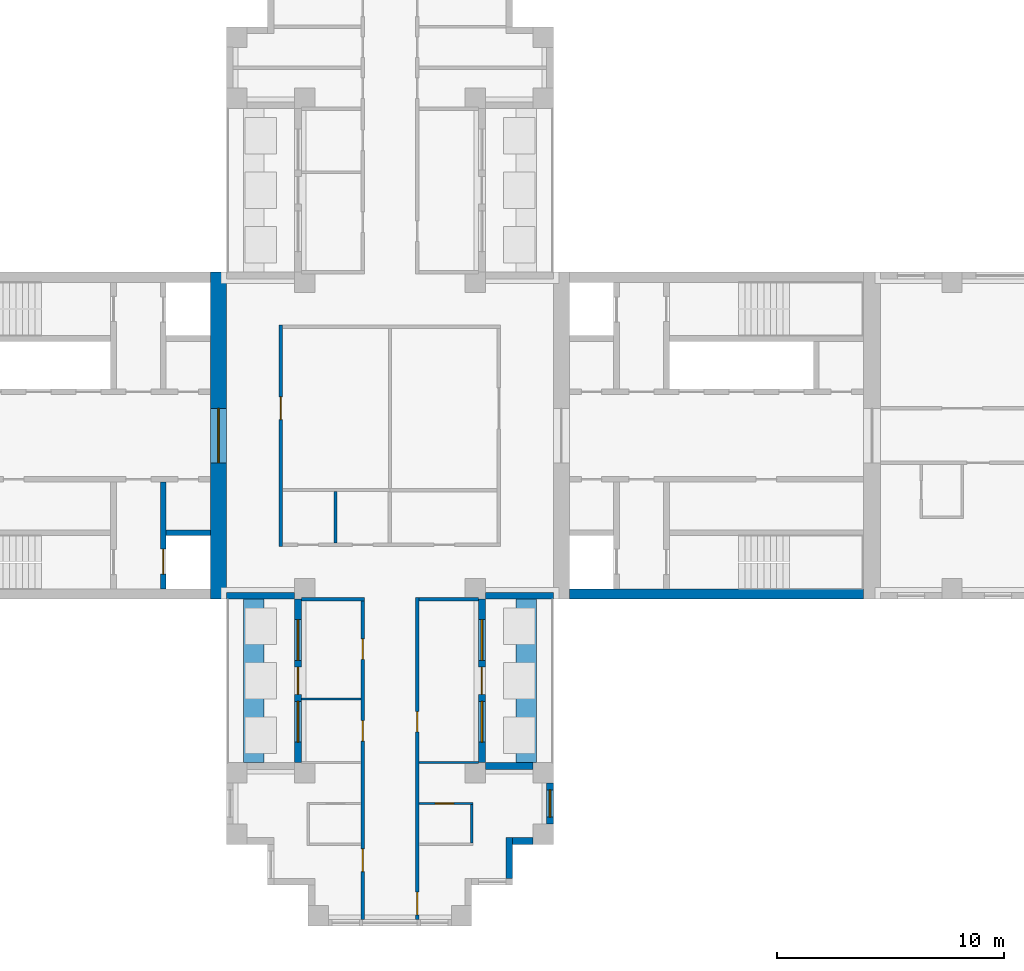
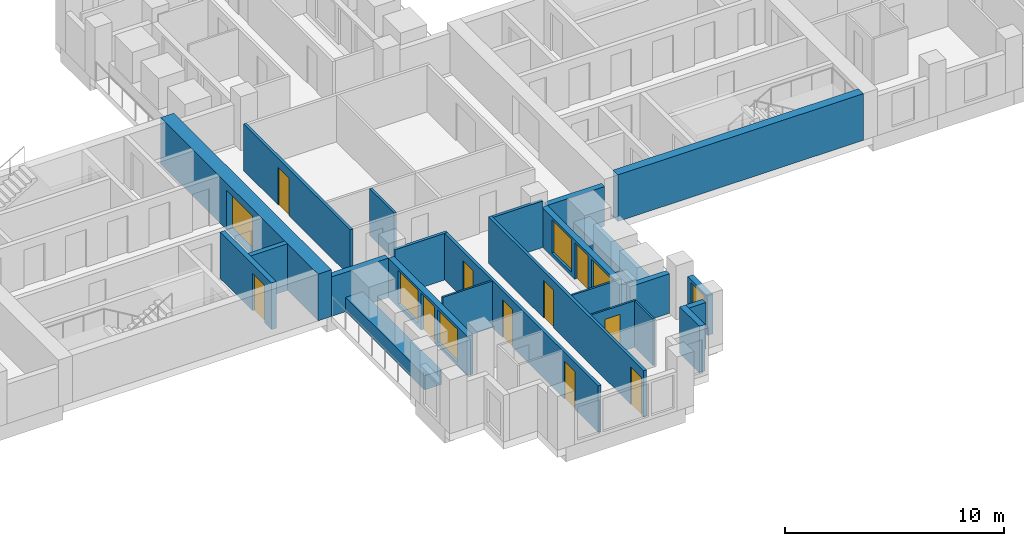
# One storey, part 5 of 12: 24 walls, 11 doors, 5 windows, 16 openings.
"""IFC4 building model written with IfcOpenShell, lengths in metres."""

from ifc_helpers import new_model, si_unit, direction, frame, frame_2d, origin, place, context, subcontext, project, spatial, rectangle, extrude, material, layer, layer_set, type_object, element, fill, save


model = new_model("IFC4")

# Units and contexts
model_context = context("Model", 3, precision=1e-05, world=origin(), true_north=direction((0.0, 1.0)))
body_context = subcontext(model_context, "Body", "Model", "MODEL_VIEW")
ifc_project = project(units=[si_unit("LENGTHUNIT", "METRE"), si_unit("AREAUNIT", "SQUARE_METRE"), si_unit("VOLUMEUNIT", "CUBIC_METRE"), si_unit("PLANEANGLEUNIT", "RADIAN"), si_unit("MASSUNIT", "GRAM", prefix="KILO")], contexts=[model_context])

# Site, building, storey
site_placement = place(None, origin())
site = spatial("IfcSite", under=ifc_project, at=site_placement, CompositionType="ELEMENT")
building_placement = place(site_placement, origin())
building = spatial("IfcBuilding", under=site, at=building_placement, Name="Fustian Cross Tower", CompositionType="ELEMENT")
storey_placement = place(building_placement, frame((0.0, 0.0, 156.300048828125)))
storey = spatial("IfcBuildingStorey", under=building, at=storey_placement, Name="L49", CompositionType="ELEMENT", Elevation=156.300048828125)

# Wall, opening, door
ifc_material_1 = material(Name="Plasterboard on steel stud", Category="steel")
ifc_layer_1 = layer(ifc_material_1, 0.14990234375)
ifc_layer_set_1 = layer_set([ifc_layer_1], Name="Plasterboard on steel stud")
wall_type_1 = type_object("IfcWallType", Name="COMPARTMENT WALL 150 EI 60", PredefinedType="PARTITIONING", material=ifc_layer_set_1)
wall_1_placement = place(storey_placement, frame((-4.800048828125, -4.875, 0.0), z_axis=(0.0, 0.0, 1.0), x_axis=(0.0, 1.0, 0.0)))
wall_1 = element("IfcWall", 1, at=wall_1_placement, inside=storey, type_object=wall_type_1, Name="Partition 12", PredefinedType="PARTITIONING", context=body_context, shape_type="SweptSolid", body=[
    extrude(rectangle(XDim=9.75, YDim=0.14990234375, at=frame_2d((4.875, 0.0))), origin(), (0.0, 0.0, 1.0), 2.599853515625),
])
opening_1_placement = place(wall_1_placement, frame((5.574951171875, 0.0, 0.0)))
opening_1 = element("IfcOpeningElement", 2, at=opening_1_placement, cuts=wall_1, Name="Opening D22004", PredefinedType="OPENING", context=body_context, shape_type="SweptSolid", body=[
    extrude(rectangle(XDim=1.0, YDim=2.10009765625, at=frame_2d((0.5, 1.050048828125))), frame((0.0, 0.0849609375, 0.0), z_axis=(0.0, -1.0, 0.0), x_axis=(1.0, 0.0, 0.0)), (0.0, 0.0, 1.0), 0.169921875),
])
ifc_material_2 = material(Name="Timber fire door set", Category="wood")
door_type_1 = type_object("IfcDoorType", Name="FIRE SWING DOOR 1000 FD30S", OperationType="SINGLE_SWING_LEFT", PredefinedType="DOOR", material=ifc_material_2)
door_1_placement = place(opening_1_placement, frame((1.0, 0.0, 0.0), z_axis=(0.0, 0.0, 1.0), x_axis=(-1.0, 0.0, 0.0)))
door_1 = element("IfcDoor", 3, at=door_1_placement, inside=storey, type_object=door_type_1, Name="Door D22004", OperationType="SINGLE_SWING_RIGHT", OverallHeight=2.10009765625, OverallWidth=1.0, PredefinedType="DOOR", context=body_context, shape_type="SweptSolid", body=[
    extrude(rectangle(XDim=1.0, YDim=2.10009765625, at=frame_2d((0.5, 1.050048828125))), frame((0.0, 0.02490234375, 0.0), z_axis=(0.0, -1.0, 0.0), x_axis=(1.0, 0.0, 0.0)), (0.0, 0.0, 1.0), 0.050048828125),
])
fill(opening_1, door_1)

# Wall
wall_2_placement = place(storey_placement, frame((-3.89990234375, -7.199951171875, 0.0), z_axis=(0.0, 0.0, 1.0), x_axis=(1.0, 0.0, 0.0)))
element("IfcWall", 4, at=wall_2_placement, inside=storey, type_object=wall_type_1, Name="Partition 18", PredefinedType="PARTITIONING", context=body_context, shape_type="SweptSolid", body=[
    extrude(rectangle(XDim=2.77490234375, YDim=0.14990234375, at=frame_2d((1.387451171875, 0.0))), origin(), (0.0, 0.0, 1.0), 2.599853515625),
])

# Wall, openings, doors
wall_3_placement = place(storey_placement, frame((-1.199951171875, -21.300048828125, 0.0), z_axis=(0.0, 0.0, 1.0), x_axis=(0.0, 1.0, 0.0)))
wall_3 = element("IfcWall", 5, at=wall_3_placement, inside=storey, type_object=wall_type_1, Name="Partition 27", PredefinedType="PARTITIONING", context=body_context, shape_type="SweptSolid", body=[
    extrude(rectangle(XDim=14.025146484375, YDim=0.14990234375, at=frame_2d((7.0126953125, 0.0))), origin(), (0.0, 0.0, 1.0), 2.599853515625),
])
opening_2_placement = place(wall_3_placement, frame((7.85009765625, 0.0, 0.0)))
opening_2 = element("IfcOpeningElement", 6, at=opening_2_placement, cuts=wall_3, Name="Opening D22036", PredefinedType="OPENING", context=body_context, shape_type="SweptSolid", body=[
    extrude(rectangle(XDim=0.89990234375, YDim=2.10009765625, at=frame_2d((0.449951171875, 1.050048828125))), frame((0.0, 0.0849609375, 0.0), z_axis=(0.0, -1.0, 0.0), x_axis=(1.0, 0.0, 0.0)), (0.0, 0.0, 1.0), 0.169921875),
])
opening_3_placement = place(wall_3_placement, frame((11.449951171875, 0.0, 0.0)))
opening_3 = element("IfcOpeningElement", 7, at=opening_3_placement, cuts=wall_3, Name="Opening D22037", PredefinedType="OPENING", context=body_context, shape_type="SweptSolid", body=[
    extrude(rectangle(XDim=0.89990234375, YDim=2.10009765625, at=frame_2d((0.449951171875, 1.050048828125))), frame((0.0, 0.0849609375, 0.0), z_axis=(0.0, -1.0, 0.0), x_axis=(1.0, 0.0, 0.0)), (0.0, 0.0, 1.0), 0.169921875),
])
opening_4_placement = place(wall_3_placement, frame((2.10009765625, 0.0, 0.0)))
opening_4 = element("IfcOpeningElement", 8, at=opening_4_placement, cuts=wall_3, Name="Opening D22039", PredefinedType="OPENING", context=body_context, shape_type="SweptSolid", body=[
    extrude(rectangle(XDim=1.0, YDim=2.10009765625, at=frame_2d((0.5, 1.050048828125))), frame((0.0, 0.0849609375, 0.0), z_axis=(0.0, -1.0, 0.0), x_axis=(1.0, 0.0, 0.0)), (0.0, 0.0, 1.0), 0.169921875),
])
door_2_placement = place(opening_4_placement, origin())
door_2 = element("IfcDoor", 9, at=door_2_placement, inside=storey, type_object=door_type_1, Name="Door D22039", OperationType="SINGLE_SWING_RIGHT", OverallHeight=2.10009765625, OverallWidth=1.0, PredefinedType="DOOR", context=body_context, shape_type="SweptSolid", body=[
    extrude(rectangle(XDim=1.0, YDim=2.10009765625, at=frame_2d((0.5, 1.050048828125))), frame((0.0, 0.02490234375, 0.0), z_axis=(0.0, -1.0, 0.0), x_axis=(1.0, 0.0, 0.0)), (0.0, 0.0, 1.0), 0.050048828125),
])
fill(opening_4, door_2)
ifc_material_3 = material(Name="Timber fire door set", Category="wood")
door_type_2 = type_object("IfcDoorType", Name="FIRE SWING DOOR 900 FD30S", OperationType="SINGLE_SWING_LEFT", PredefinedType="DOOR", material=ifc_material_3)
door_3_placement = place(opening_2_placement, origin())
door_3 = element("IfcDoor", 10, at=door_3_placement, inside=storey, type_object=door_type_2, Name="Door D22036", OperationType="SINGLE_SWING_LEFT", OverallHeight=2.10009765625, OverallWidth=0.89990234375, PredefinedType="DOOR", context=body_context, shape_type="SweptSolid", body=[
    extrude(rectangle(XDim=0.89990234375, YDim=2.10009765625, at=frame_2d((0.449951171875, 1.050048828125))), frame((0.0, 0.02490234375, 0.0), z_axis=(0.0, -1.0, 0.0), x_axis=(1.0, 0.0, 0.0)), (0.0, 0.0, 1.0), 0.050048828125),
])
fill(opening_2, door_3)
door_4_placement = place(opening_3_placement, origin())
door_4 = element("IfcDoor", 11, at=door_4_placement, inside=storey, type_object=door_type_2, Name="Door D22037", OperationType="SINGLE_SWING_LEFT", OverallHeight=2.10009765625, OverallWidth=0.89990234375, PredefinedType="DOOR", context=body_context, shape_type="SweptSolid", body=[
    extrude(rectangle(XDim=0.89990234375, YDim=2.10009765625, at=frame_2d((0.449951171875, 1.050048828125))), frame((0.0, 0.02490234375, 0.0), z_axis=(0.0, -1.0, 0.0), x_axis=(1.0, 0.0, 0.0)), (0.0, 0.0, 1.0), 0.050048828125),
])
fill(opening_3, door_4)

wall_4_placement = place(storey_placement, frame((1.199951171875, -21.300048828125, 0.0), z_axis=(0.0, 0.0, 1.0), x_axis=(0.0, 1.0, 0.0)))
wall_4 = element("IfcWall", 12, at=wall_4_placement, inside=storey, type_object=wall_type_1, Name="Partition 32", PredefinedType="PARTITIONING", context=body_context, shape_type="SweptSolid", body=[
    extrude(rectangle(XDim=14.175048828125, YDim=0.14990234375, at=frame_2d((7.08740234375, 0.0))), origin(), (0.0, 0.0, 1.0), 2.599853515625),
])
opening_5_placement = place(wall_4_placement, frame((8.25, 0.0, 0.0)))
opening_5 = element("IfcOpeningElement", 13, at=opening_5_placement, cuts=wall_4, Name="Opening D22033", PredefinedType="OPENING", context=body_context, shape_type="SweptSolid", body=[
    extrude(rectangle(XDim=0.89990234375, YDim=2.10009765625, at=frame_2d((0.449951171875, 1.050048828125))), frame((0.0, 0.0849609375, 0.0), z_axis=(0.0, -1.0, 0.0), x_axis=(1.0, 0.0, 0.0)), (0.0, 0.0, 1.0), 0.169921875),
])
opening_6_placement = place(wall_4_placement, frame((0.199951171875, 0.0, 0.0)))
opening_6 = element("IfcOpeningElement", 14, at=opening_6_placement, cuts=wall_4, Name="Opening D22035", PredefinedType="OPENING", context=body_context, shape_type="SweptSolid", body=[
    extrude(rectangle(XDim=1.0, YDim=2.10009765625, at=frame_2d((0.5, 1.050048828125))), frame((0.0, 0.0849609375, 0.0), z_axis=(0.0, -1.0, 0.0), x_axis=(1.0, 0.0, 0.0)), (0.0, 0.0, 1.0), 0.169921875),
])
door_5_placement = place(opening_6_placement, frame((1.0, 0.0, 0.0), z_axis=(0.0, 0.0, 1.0), x_axis=(-1.0, 0.0, 0.0)))
door_5 = element("IfcDoor", 15, at=door_5_placement, inside=storey, type_object=door_type_1, Name="Door D22035", OperationType="SINGLE_SWING_RIGHT", OverallHeight=2.10009765625, OverallWidth=1.0, PredefinedType="DOOR", context=body_context, shape_type="SweptSolid", body=[
    extrude(rectangle(XDim=1.0, YDim=2.10009765625, at=frame_2d((0.5, 1.050048828125))), frame((0.0, 0.02490234375, 0.0), z_axis=(0.0, -1.0, 0.0), x_axis=(1.0, 0.0, 0.0)), (0.0, 0.0, 1.0), 0.050048828125),
])
fill(opening_6, door_5)
door_6_placement = place(opening_5_placement, frame((0.89990234375, 0.0, 0.0), z_axis=(0.0, 0.0, 1.0), x_axis=(-1.0, 0.0, 0.0)))
door_6 = element("IfcDoor", 16, at=door_6_placement, inside=storey, type_object=door_type_2, Name="Door D22033", OperationType="SINGLE_SWING_RIGHT", OverallHeight=2.10009765625, OverallWidth=0.89990234375, PredefinedType="DOOR", context=body_context, shape_type="SweptSolid", body=[
    extrude(rectangle(XDim=0.89990234375, YDim=2.10009765625, at=frame_2d((0.449951171875, 1.050048828125))), frame((0.0, 0.02490234375, 0.0), z_axis=(0.0, -1.0, 0.0), x_axis=(1.0, 0.0, 0.0)), (0.0, 0.0, 1.0), 0.050048828125),
])
fill(opening_5, door_6)

# Wall
wall_5_placement = place(storey_placement, frame((1.27490234375, -7.199951171875, 0.0), z_axis=(0.0, 0.0, 1.0), x_axis=(1.0, 0.0, 0.0)))
element("IfcWall", 17, at=wall_5_placement, inside=storey, type_object=wall_type_1, Name="Partition 36", PredefinedType="PARTITIONING", context=body_context, shape_type="SweptSolid", body=[
    extrude(rectangle(XDim=2.625, YDim=0.14990234375, at=frame_2d((1.3125, 0.0))), origin(), (0.0, 0.0, 1.0), 2.599853515625),
])

# Wall, opening, door
ifc_material_4 = material(Name="Concrete C60/75", Category="concrete")
ifc_layer_2 = layer(ifc_material_4, 0.699951171875)
ifc_layer_set_2 = layer_set([ifc_layer_2], Name="Concrete C60/75")
wall_type_2 = type_object("IfcWallType", Name="CORE END WALL 700 C60/75", PredefinedType="SHEAR", material=ifc_layer_set_2)
wall_6_placement = place(storey_placement, frame((-7.550048828125, -7.199951171875, 0.0), z_axis=(0.0, 0.0, 1.0), x_axis=(0.0, 1.0, 0.0)))
wall_6 = element("IfcWall", 18, at=wall_6_placement, inside=storey, type_object=wall_type_2, Name="Core end wall", PredefinedType="SHEAR", context=body_context, shape_type="SweptSolid", body=[
    extrude(rectangle(XDim=14.39990234375, YDim=0.699951171875, at=frame_2d((7.199951171875, 0.0))), origin(), (0.0, 0.0, 1.0), 2.599853515625),
])
opening_7_placement = place(wall_6_placement, frame((6.0, 0.0, 0.0)))
opening_7 = element("IfcOpeningElement", 19, at=opening_7_placement, cuts=wall_6, Name="Opening CD-17-27", PredefinedType="OPENING", context=body_context, shape_type="SweptSolid", body=[
    extrude(rectangle(XDim=2.39990234375, YDim=2.199951171875, at=frame_2d((1.199951171875, 1.10009765625))), frame((0.0, 0.35986328125, 0.0), z_axis=(0.0, -1.0, 0.0), x_axis=(1.0, 0.0, 0.0)), (0.0, 0.0, 1.0), 0.719970703125),
])
ifc_material_5 = material(Name="Steel", Category="steel")
door_type_3 = type_object("IfcDoorType", Name="FIRE DOOR FD30S DOUBLE 2400X2200", OperationType="DOUBLE_DOOR_DOUBLE_SWING", PredefinedType="DOOR", material=ifc_material_5)
door_7_placement = place(opening_7_placement, origin())
door_7 = element("IfcDoor", 20, at=door_7_placement, inside=storey, type_object=door_type_3, Name="Core door CD-17-27", OperationType="DOUBLE_DOOR_DOUBLE_SWING", OverallHeight=2.199951171875, OverallWidth=2.39990234375, PredefinedType="DOOR", context=body_context, shape_type="SweptSolid", body=[
    extrude(rectangle(XDim=2.39990234375, YDim=2.199951171875, at=frame_2d((1.199951171875, 1.10009765625))), frame((0.0, 0.02490234375, 0.0), z_axis=(0.0, -1.0, 0.0), x_axis=(1.0, 0.0, 0.0)), (0.0, 0.0, 1.0), 0.050048828125),
])
fill(opening_7, door_7)

# Walls
ifc_material_6 = material(Name="Concrete C60/75", Category="concrete")
ifc_layer_3 = layer(ifc_material_6, 0.449951171875)
ifc_layer_set_3 = layer_set([ifc_layer_3], Name="Concrete C60/75")
wall_type_3 = type_object("IfcWallType", Name="CORE FACADE WALL 450 C60/75", PredefinedType="SHEAR", material=ifc_layer_set_3)
wall_7_placement = place(storey_placement, frame((7.89990234375, -6.97509765625, 0.0), z_axis=(0.0, 0.0, 1.0), x_axis=(1.0, 0.0, 0.0)))
element("IfcWall", 21, at=wall_7_placement, inside=storey, type_object=wall_type_3, Name="Core facade wall", PredefinedType="SHEAR", context=body_context, shape_type="SweptSolid", body=[
    extrude(rectangle(XDim=12.9501953125, YDim=0.449951171875, at=frame_2d((6.47509765625, 0.0))), origin(), (0.0, 0.0, 1.0), 2.599853515625),
])
ifc_material_7 = material(Name="Concrete C50/60", Category="concrete")
ifc_layer_4 = layer(ifc_material_7, 0.25)
ifc_layer_set_4 = layer_set([ifc_layer_4], Name="Concrete C50/60")
wall_type_4 = type_object("IfcWallType", Name="CORE SHAFT WALL 250 C50/60", PredefinedType="SHEAR", material=ifc_layer_set_4)
wall_8_placement = place(storey_placement, frame((-7.89990234375, -4.27490234375, 0.0), z_axis=(0.0, 0.0, 1.0), x_axis=(-1.0, 0.0, 0.0)))
element("IfcWall", 22, at=wall_8_placement, inside=storey, type_object=wall_type_4, Name="Core shaft wall", PredefinedType="SHEAR", context=body_context, shape_type="SweptSolid", body=[
    extrude(rectangle(XDim=1.9501953125, YDim=0.25, at=frame_2d((0.97509765625, 0.0))), origin(), (0.0, 0.0, 1.0), 2.599853515625),
])

# Wall, opening, door
wall_9_placement = place(storey_placement, frame((-9.97509765625, -2.050048828125, 0.0), z_axis=(0.0, 0.0, 1.0), x_axis=(0.0, -1.0, 0.0)))
wall_9 = element("IfcWall", 23, at=wall_9_placement, inside=storey, type_object=wall_type_4, Name="Core shaft wall", PredefinedType="SHEAR", context=body_context, shape_type="SweptSolid", body=[
    extrude(rectangle(XDim=4.699951171875, YDim=0.25, at=frame_2d((2.35009765625, 0.0))), origin(), (0.0, 0.0, 1.0), 2.599853515625),
])
opening_8_placement = place(wall_9_placement, frame((2.949951171875, 0.0, 0.0)))
opening_8 = element("IfcOpeningElement", 24, at=opening_8_placement, cuts=wall_9, Name="Opening LD", PredefinedType="OPENING", context=body_context, shape_type="SweptSolid", body=[
    extrude(rectangle(XDim=1.10009765625, YDim=2.10009765625, at=frame_2d((0.550048828125, 1.050048828125))), frame((0.0, 0.135009765625, 0.0), z_axis=(0.0, -1.0, 0.0), x_axis=(1.0, 0.0, 0.0)), (0.0, 0.0, 1.0), 0.27001953125),
])
ifc_material_8 = material(Name="Stainless steel", Category="steel")
door_type_4 = type_object("IfcDoorType", Name="LIFT LANDING DOOR 1100X2100", OperationType="SLIDING_TO_LEFT", PredefinedType="DOOR", material=ifc_material_8)
door_8_placement = place(opening_8_placement, origin())
door_8 = element("IfcDoor", 25, at=door_8_placement, inside=storey, type_object=door_type_4, Name="Landing door SV1W", OperationType="SLIDING_TO_LEFT", OverallHeight=2.10009765625, OverallWidth=1.10009765625, PredefinedType="DOOR", context=body_context, shape_type="SweptSolid", body=[
    extrude(rectangle(XDim=1.10009765625, YDim=2.10009765625, at=frame_2d((0.550048828125, 1.050048828125))), frame((0.0, 0.02490234375, 0.0), z_axis=(0.0, -1.0, 0.0), x_axis=(1.0, 0.0, 0.0)), (0.0, 0.0, 1.0), 0.050048828125),
])
fill(opening_8, door_8)

# Wall
ifc_material_9 = material(Name="Plasterboard on steel stud", Category="steel")
ifc_layer_5 = layer(ifc_material_9, 0.10009765625)
ifc_layer_set_5 = layer_set([ifc_layer_5], Name="Plasterboard on steel stud")
wall_type_5 = type_object("IfcWallType", Name="PARTITION 100 STUD", PredefinedType="PARTITIONING", material=ifc_layer_set_5)
wall_10_placement = place(storey_placement, frame((-3.89990234375, -11.60009765625, 0.0), z_axis=(0.0, 0.0, 1.0), x_axis=(1.0, 0.0, 0.0)))
element("IfcWall", 26, at=wall_10_placement, inside=storey, type_object=wall_type_5, Name="Partition 17", PredefinedType="PARTITIONING", context=body_context, shape_type="SweptSolid", body=[
    extrude(rectangle(XDim=2.625, YDim=0.10009765625, at=frame_2d((1.3125, 0.0))), origin(), (0.0, 0.0, 1.0), 2.599853515625),
])

# Wall, opening, door
wall_11_placement = place(storey_placement, frame((1.27490234375, -16.199951171875, 0.0), z_axis=(0.0, 0.0, 1.0), x_axis=(1.0, 0.0, 0.0)))
wall_11 = element("IfcWall", 27, at=wall_11_placement, inside=storey, type_object=wall_type_5, Name="Partition 34", PredefinedType="PARTITIONING", context=body_context, shape_type="SweptSolid", body=[
    extrude(rectangle(XDim=2.375, YDim=0.10009765625, at=frame_2d((1.1875, 0.0))), origin(), (0.0, 0.0, 1.0), 2.599853515625),
])
opening_9_placement = place(wall_11_placement, frame((0.72509765625, 0.0, 0.0)))
opening_9 = element("IfcOpeningElement", 28, at=opening_9_placement, cuts=wall_11, Name="Opening D22034", PredefinedType="OPENING", context=body_context, shape_type="SweptSolid", body=[
    extrude(rectangle(XDim=0.800048828125, YDim=2.10009765625, at=frame_2d((0.39990234375, 1.050048828125))), frame((0.0, 0.06005859375, 0.0), z_axis=(0.0, -1.0, 0.0), x_axis=(1.0, 0.0, 0.0)), (0.0, 0.0, 1.0), 0.1201171875),
])
ifc_material_10 = material(Name="Painted timber", Category="wood")
door_type_5 = type_object("IfcDoorType", Name="SWING DOOR 800", OperationType="SINGLE_SWING_LEFT", PredefinedType="DOOR", material=ifc_material_10)
door_9_placement = place(opening_9_placement, frame((0.800048828125, 0.0, 0.0), z_axis=(0.0, 0.0, 1.0), x_axis=(-1.0, 0.0, 0.0)))
door_9 = element("IfcDoor", 29, at=door_9_placement, inside=storey, type_object=door_type_5, Name="Door D22034", OperationType="SINGLE_SWING_RIGHT", OverallHeight=2.10009765625, OverallWidth=0.800048828125, PredefinedType="DOOR", context=body_context, shape_type="SweptSolid", body=[
    extrude(rectangle(XDim=0.800048828125, YDim=2.10009765625, at=frame_2d((0.39990234375, 1.050048828125))), frame((0.0, 0.02490234375, 0.0), z_axis=(0.0, -1.0, 0.0), x_axis=(1.0, 0.0, 0.0)), (0.0, 0.0, 1.0), 0.050048828125),
])
fill(opening_9, door_9)

# Walls
wall_12_placement = place(storey_placement, frame((1.27490234375, -14.39990234375, 0.0), z_axis=(0.0, 0.0, 1.0), x_axis=(1.0, 0.0, 0.0)))
element("IfcWall", 30, at=wall_12_placement, inside=storey, type_object=wall_type_5, Name="Partition 35", PredefinedType="PARTITIONING", context=body_context, shape_type="SweptSolid", body=[
    extrude(rectangle(XDim=2.625, YDim=0.10009765625, at=frame_2d((1.3125, 0.0))), origin(), (0.0, 0.0, 1.0), 2.599853515625),
])
wall_13_placement = place(storey_placement, frame((3.60009765625, -17.949951171875, 0.0), z_axis=(0.0, 0.0, 1.0), x_axis=(0.0, 1.0, 0.0)))
element("IfcWall", 31, at=wall_13_placement, inside=storey, type_object=wall_type_5, Name="Partition 43", PredefinedType="PARTITIONING", context=body_context, shape_type="SweptSolid", body=[
    extrude(rectangle(XDim=1.699951171875, YDim=0.10009765625, at=frame_2d((0.85009765625, 0.0))), origin(), (0.0, 0.0, 1.0), 2.599853515625),
])
ifc_material_11 = material(Name="Concrete C40/50", Category="concrete")
ifc_layer_6 = layer(ifc_material_11, 0.89990234375)
ifc_layer_set_6 = layer_set([ifc_layer_6], Name="Concrete C40/50")
wall_type_6 = type_object("IfcWallType", Name="PK1 PLANTER 900", PredefinedType="PARAPET", material=ifc_layer_set_6)
for number, where, z_axis, x_axis, name in (
    (32, (6.0, -14.39990234375, 0.0), (0.0, 0.0, 1.0), (0.0, 1.0, 0.0), "PLANTER"),
    (33, (-6.0, -14.39990234375, 0.0), (0.0, 0.0, 1.0), (0.0, 1.0, 0.0), "PLANTER"),
):
    element("IfcWall", number, at=place(storey_placement, frame(where, z_axis=z_axis, x_axis=x_axis)), inside=storey, type_object=wall_type_6, Name=name, PredefinedType="PARAPET", context=body_context, shape_type="SweptSolid", body=[
        extrude(rectangle(XDim=7.199951171875, YDim=0.89990234375, at=frame_2d((3.60009765625, 0.0))), origin(), (0.0, 0.0, 1.0), 0.800048828125),
    ])
ifc_material_12 = material(Name="Plasterboard on steel stud", Category="steel")
ifc_layer_7 = layer(ifc_material_12, 0.125)
ifc_layer_set_7 = layer_set([ifc_layer_7], Name="Plasterboard on steel stud")
wall_type_7 = type_object("IfcWallType", Name="WET WALL 125 STUD", PredefinedType="PARTITIONING", material=ifc_layer_set_7)
wall_14_placement = place(storey_placement, frame((-2.39990234375, -4.72509765625, 0.0), z_axis=(0.0, 0.0, 1.0), x_axis=(0.0, 1.0, 0.0)))
element("IfcWall", 34, at=wall_14_placement, inside=storey, type_object=wall_type_7, Name="Partition 26", PredefinedType="PARTITIONING", context=body_context, shape_type="SweptSolid", body=[
    extrude(rectangle(XDim=2.2626953125, YDim=0.125, at=frame_2d((1.13134765625, 0.0))), origin(), (0.0, 0.0, 1.0), 2.599853515625),
])
ifc_material_13 = material(Name="Dark aluminium cladding on insulated backing wall", Category="aluminium")
ifc_layer_8 = layer(ifc_material_13, 0.300048828125)
ifc_layer_set_8 = layer_set([ifc_layer_8], Name="Dark aluminium cladding on insulated backing wall")
wall_type_8 = type_object("IfcWallType", Name="XW1 EXTERNAL WALL 300", PredefinedType="SOLIDWALL", material=ifc_layer_set_8)
wall_15_placement = place(storey_placement, frame((-7.199951171875, -7.050048828125, 0.0), z_axis=(0.0, 0.0, 1.0), x_axis=(1.0, 0.0, 0.0)))
element("IfcWall", 35, at=wall_15_placement, inside=storey, type_object=wall_type_8, Name="External wall", PredefinedType="SOLIDWALL", context=body_context, shape_type="SweptSolid", body=[
    extrude(rectangle(XDim=3.0, YDim=0.300048828125, at=frame_2d((1.5, 0.0))), origin(), (0.0, 0.0, 1.0), 2.199951171875),
])

# Wall, openings, door, windows
wall_16_placement = place(storey_placement, frame((-4.050048828125, -7.199951171875, 0.0), z_axis=(0.0, 0.0, 1.0), x_axis=(0.0, -1.0, 0.0)))
wall_16 = element("IfcWall", 36, at=wall_16_placement, inside=storey, type_object=wall_type_8, Name="External wall", PredefinedType="SOLIDWALL", context=body_context, shape_type="SweptSolid", body=[
    extrude(rectangle(XDim=7.199951171875, YDim=0.300048828125, at=frame_2d((3.60009765625, 0.0))), origin(), (0.0, 0.0, 1.0), 2.199951171875),
])
opening_10_placement = place(wall_16_placement, frame((3.0, 0.0, 0.0)))
opening_10 = element("IfcOpeningElement", 37, at=opening_10_placement, cuts=wall_16, Name="Opening XD4", PredefinedType="OPENING", context=body_context, shape_type="SweptSolid", body=[
    extrude(rectangle(XDim=1.199951171875, YDim=2.050048828125, at=frame_2d((0.60009765625, 1.02490234375))), frame((0.0, 0.159912109375, 0.0), z_axis=(0.0, -1.0, 0.0), x_axis=(1.0, 0.0, 0.0)), (0.0, 0.0, 1.0), 0.320068359375),
])
opening_11_placement = place(wall_16_placement, frame((0.89990234375, 0.0, 0.199951171875)))
opening_11 = element("IfcOpeningElement", 38, at=opening_11_placement, cuts=wall_16, Name="Opening WN2", PredefinedType="OPENING", context=body_context, shape_type="SweptSolid", body=[
    extrude(rectangle(XDim=1.800048828125, YDim=1.85009765625, at=frame_2d((0.89990234375, 0.925048828125))), frame((0.0, 0.159912109375, 0.0), z_axis=(0.0, -1.0, 0.0), x_axis=(1.0, 0.0, 0.0)), (0.0, 0.0, 1.0), 0.320068359375),
])
opening_12_placement = place(wall_16_placement, frame((4.5, 0.0, 0.199951171875)))
opening_12 = element("IfcOpeningElement", 39, at=opening_12_placement, cuts=wall_16, Name="Opening WN2", PredefinedType="OPENING", context=body_context, shape_type="SweptSolid", body=[
    extrude(rectangle(XDim=1.800048828125, YDim=1.85009765625, at=frame_2d((0.89990234375, 0.925048828125))), frame((0.0, 0.159912109375, 0.0), z_axis=(0.0, -1.0, 0.0), x_axis=(1.0, 0.0, 0.0)), (0.0, 0.0, 1.0), 0.320068359375),
])
ifc_material_14 = material(Name="Dark anodised aluminium and double glazing", Category="aluminium")
door_type_6 = type_object("IfcDoorType", Name="ED1 BALCONY DOOR 1200X2050", OperationType="SINGLE_SWING_LEFT", PredefinedType="DOOR", material=ifc_material_14)
door_10_placement = place(opening_10_placement, origin())
door_10 = element("IfcDoor", 40, at=door_10_placement, inside=storey, type_object=door_type_6, Name="Balcony door", OperationType="SINGLE_SWING_LEFT", OverallHeight=2.050048828125, OverallWidth=1.199951171875, PredefinedType="DOOR", context=body_context, shape_type="SweptSolid", body=[
    extrude(rectangle(XDim=1.199951171875, YDim=2.050048828125, at=frame_2d((0.60009765625, 1.02490234375))), frame((0.0, 0.02490234375, 0.0), z_axis=(0.0, -1.0, 0.0), x_axis=(1.0, 0.0, 0.0)), (0.0, 0.0, 1.0), 0.050048828125),
])
fill(opening_10, door_10)
ifc_material_15 = material(Name="Dark anodised aluminium and double glazing", Category="aluminium")
window_type_1 = type_object("IfcWindowType", Name="WN2 WINDOW 1800X1850", PartitioningType="SINGLE_PANEL", PredefinedType="WINDOW", material=ifc_material_15)
window_1_placement = place(opening_11_placement, origin())
window_1 = element("IfcWindow", 41, at=window_1_placement, inside=storey, type_object=window_type_1, Name="Window", OverallHeight=1.85009765625, OverallWidth=1.800048828125, PartitioningType="SINGLE_PANEL", PredefinedType="WINDOW", context=body_context, shape_type="SweptSolid", body=[
    extrude(rectangle(XDim=1.800048828125, YDim=1.85009765625, at=frame_2d((0.89990234375, 0.925048828125))), frame((0.0, 0.030029296875, 0.0), z_axis=(0.0, -1.0, 0.0), x_axis=(1.0, 0.0, 0.0)), (0.0, 0.0, 1.0), 0.06005859375),
])
fill(opening_11, window_1)
window_2_placement = place(opening_12_placement, origin())
window_2 = element("IfcWindow", 42, at=window_2_placement, inside=storey, type_object=window_type_1, Name="Window", OverallHeight=1.85009765625, OverallWidth=1.800048828125, PartitioningType="SINGLE_PANEL", PredefinedType="WINDOW", context=body_context, shape_type="SweptSolid", body=[
    extrude(rectangle(XDim=1.800048828125, YDim=1.85009765625, at=frame_2d((0.89990234375, 0.925048828125))), frame((0.0, 0.030029296875, 0.0), z_axis=(0.0, -1.0, 0.0), x_axis=(1.0, 0.0, 0.0)), (0.0, 0.0, 1.0), 0.06005859375),
])
fill(opening_12, window_2)

# Walls
wall_17_placement = place(storey_placement, frame((5.25, -19.5, 0.0), z_axis=(0.0, 0.0, 1.0), x_axis=(0.0, 1.0, 0.0)))
element("IfcWall", 43, at=wall_17_placement, inside=storey, type_object=wall_type_8, Name="External wall", PredefinedType="SOLIDWALL", context=body_context, shape_type="SweptSolid", body=[
    extrude(rectangle(XDim=1.800048828125, YDim=0.300048828125, at=frame_2d((0.89990234375, 0.0))), origin(), (0.0, 0.0, 1.0), 2.599853515625),
])
wall_18_placement = place(storey_placement, frame((5.39990234375, -17.85009765625, 0.0), z_axis=(0.0, 0.0, 1.0), x_axis=(1.0, 0.0, 0.0)))
element("IfcWall", 44, at=wall_18_placement, inside=storey, type_object=wall_type_8, Name="External wall", PredefinedType="SOLIDWALL", context=body_context, shape_type="SweptSolid", body=[
    extrude(rectangle(XDim=0.900146484375, YDim=0.300048828125, at=frame_2d((0.4501953125, 0.0))), origin(), (0.0, 0.0, 1.0), 2.599853515625),
])

# Wall, opening, window
wall_19_placement = place(storey_placement, frame((7.050048828125, -17.10009765625, 0.0), z_axis=(0.0, 0.0, 1.0), x_axis=(0.0, 1.0, 0.0)))
wall_19 = element("IfcWall", 45, at=wall_19_placement, inside=storey, type_object=wall_type_8, Name="External wall", PredefinedType="SOLIDWALL", context=body_context, shape_type="SweptSolid", body=[
    extrude(rectangle(XDim=1.800048828125, YDim=0.300048828125, at=frame_2d((0.89990234375, 0.0))), origin(), (0.0, 0.0, 1.0), 2.199951171875),
])
opening_13_placement = place(wall_19_placement, frame((0.300048828125, 0.0, 0.199951171875)))
opening_13 = element("IfcOpeningElement", 46, at=opening_13_placement, cuts=wall_19, Name="Opening WN3", PredefinedType="OPENING", context=body_context, shape_type="SweptSolid", body=[
    extrude(rectangle(XDim=1.199951171875, YDim=1.85009765625, at=frame_2d((0.60009765625, 0.925048828125))), frame((0.0, 0.159912109375, 0.0), z_axis=(0.0, -1.0, 0.0), x_axis=(1.0, 0.0, 0.0)), (0.0, 0.0, 1.0), 0.320068359375),
])
ifc_material_16 = material(Name="Dark anodised aluminium and double glazing", Category="aluminium")
window_type_2 = type_object("IfcWindowType", Name="WN3 WINDOW 1200X1850", PartitioningType="SINGLE_PANEL", PredefinedType="WINDOW", material=ifc_material_16)
window_3_placement = place(opening_13_placement, origin())
window_3 = element("IfcWindow", 47, at=window_3_placement, inside=storey, type_object=window_type_2, Name="Window", OverallHeight=1.85009765625, OverallWidth=1.199951171875, PartitioningType="SINGLE_PANEL", PredefinedType="WINDOW", context=body_context, shape_type="SweptSolid", body=[
    extrude(rectangle(XDim=1.199951171875, YDim=1.85009765625, at=frame_2d((0.60009765625, 0.925048828125))), frame((0.0, 0.030029296875, 0.0), z_axis=(0.0, -1.0, 0.0), x_axis=(1.0, 0.0, 0.0)), (0.0, 0.0, 1.0), 0.06005859375),
])
fill(opening_13, window_3)

# Wall
wall_20_placement = place(storey_placement, frame((6.300048828125, -14.550048828125, 0.0), z_axis=(0.0, 0.0, 1.0), x_axis=(-1.0, 0.0, 0.0)))
element("IfcWall", 48, at=wall_20_placement, inside=storey, type_object=wall_type_8, Name="External wall", PredefinedType="SOLIDWALL", context=body_context, shape_type="SweptSolid", body=[
    extrude(rectangle(XDim=2.10009765625, YDim=0.300048828125, at=frame_2d((1.050048828125, 0.0))), origin(), (0.0, 0.0, 1.0), 2.199951171875),
])

# Wall, openings, door, windows
wall_21_placement = place(storey_placement, frame((4.050048828125, -14.39990234375, 0.0), z_axis=(0.0, 0.0, 1.0), x_axis=(0.0, 1.0, 0.0)))
wall_21 = element("IfcWall", 49, at=wall_21_placement, inside=storey, type_object=wall_type_8, Name="External wall", PredefinedType="SOLIDWALL", context=body_context, shape_type="SweptSolid", body=[
    extrude(rectangle(XDim=7.199951171875, YDim=0.300048828125, at=frame_2d((3.60009765625, 0.0))), origin(), (0.0, 0.0, 1.0), 2.199951171875),
])
opening_14_placement = place(wall_21_placement, frame((3.0, 0.0, 0.0)))
opening_14 = element("IfcOpeningElement", 50, at=opening_14_placement, cuts=wall_21, Name="Opening XD3", PredefinedType="OPENING", context=body_context, shape_type="SweptSolid", body=[
    extrude(rectangle(XDim=1.199951171875, YDim=2.050048828125, at=frame_2d((0.60009765625, 1.02490234375))), frame((0.0, 0.159912109375, 0.0), z_axis=(0.0, -1.0, 0.0), x_axis=(1.0, 0.0, 0.0)), (0.0, 0.0, 1.0), 0.320068359375),
])
opening_15_placement = place(wall_21_placement, frame((0.89990234375, 0.0, 0.199951171875)))
opening_15 = element("IfcOpeningElement", 51, at=opening_15_placement, cuts=wall_21, Name="Opening WN2", PredefinedType="OPENING", context=body_context, shape_type="SweptSolid", body=[
    extrude(rectangle(XDim=1.800048828125, YDim=1.85009765625, at=frame_2d((0.89990234375, 0.925048828125))), frame((0.0, 0.159912109375, 0.0), z_axis=(0.0, -1.0, 0.0), x_axis=(1.0, 0.0, 0.0)), (0.0, 0.0, 1.0), 0.320068359375),
])
opening_16_placement = place(wall_21_placement, frame((4.5, 0.0, 0.199951171875)))
opening_16 = element("IfcOpeningElement", 52, at=opening_16_placement, cuts=wall_21, Name="Opening WN2", PredefinedType="OPENING", context=body_context, shape_type="SweptSolid", body=[
    extrude(rectangle(XDim=1.800048828125, YDim=1.85009765625, at=frame_2d((0.89990234375, 0.925048828125))), frame((0.0, 0.159912109375, 0.0), z_axis=(0.0, -1.0, 0.0), x_axis=(1.0, 0.0, 0.0)), (0.0, 0.0, 1.0), 0.320068359375),
])
door_11_placement = place(opening_14_placement, origin())
door_11 = element("IfcDoor", 53, at=door_11_placement, inside=storey, type_object=door_type_6, Name="Balcony door", OperationType="SINGLE_SWING_LEFT", OverallHeight=2.050048828125, OverallWidth=1.199951171875, PredefinedType="DOOR", context=body_context, shape_type="SweptSolid", body=[
    extrude(rectangle(XDim=1.199951171875, YDim=2.050048828125, at=frame_2d((0.60009765625, 1.02490234375))), frame((0.0, 0.02490234375, 0.0), z_axis=(0.0, -1.0, 0.0), x_axis=(1.0, 0.0, 0.0)), (0.0, 0.0, 1.0), 0.050048828125),
])
fill(opening_14, door_11)
window_4_placement = place(opening_15_placement, origin())
window_4 = element("IfcWindow", 54, at=window_4_placement, inside=storey, type_object=window_type_1, Name="Window", OverallHeight=1.85009765625, OverallWidth=1.800048828125, PartitioningType="SINGLE_PANEL", PredefinedType="WINDOW", context=body_context, shape_type="SweptSolid", body=[
    extrude(rectangle(XDim=1.800048828125, YDim=1.85009765625, at=frame_2d((0.89990234375, 0.925048828125))), frame((0.0, 0.030029296875, 0.0), z_axis=(0.0, -1.0, 0.0), x_axis=(1.0, 0.0, 0.0)), (0.0, 0.0, 1.0), 0.06005859375),
])
fill(opening_15, window_4)
window_5_placement = place(opening_16_placement, origin())
window_5 = element("IfcWindow", 55, at=window_5_placement, inside=storey, type_object=window_type_1, Name="Window", OverallHeight=1.85009765625, OverallWidth=1.800048828125, PartitioningType="SINGLE_PANEL", PredefinedType="WINDOW", context=body_context, shape_type="SweptSolid", body=[
    extrude(rectangle(XDim=1.800048828125, YDim=1.85009765625, at=frame_2d((0.89990234375, 0.925048828125))), frame((0.0, 0.030029296875, 0.0), z_axis=(0.0, -1.0, 0.0), x_axis=(1.0, 0.0, 0.0)), (0.0, 0.0, 1.0), 0.06005859375),
])
fill(opening_16, window_5)

# Wall
wall_22_placement = place(storey_placement, frame((4.199951171875, -7.050048828125, 0.0), z_axis=(0.0, 0.0, 1.0), x_axis=(1.0, 0.0, 0.0)))
element("IfcWall", 56, at=wall_22_placement, inside=storey, type_object=wall_type_8, Name="External wall", PredefinedType="SOLIDWALL", context=body_context, shape_type="SweptSolid", body=[
    extrude(rectangle(XDim=3.0, YDim=0.300048828125, at=frame_2d((1.5, 0.0))), origin(), (0.0, 0.0, 1.0), 2.199951171875),
])

save(model, "model.ifc")
